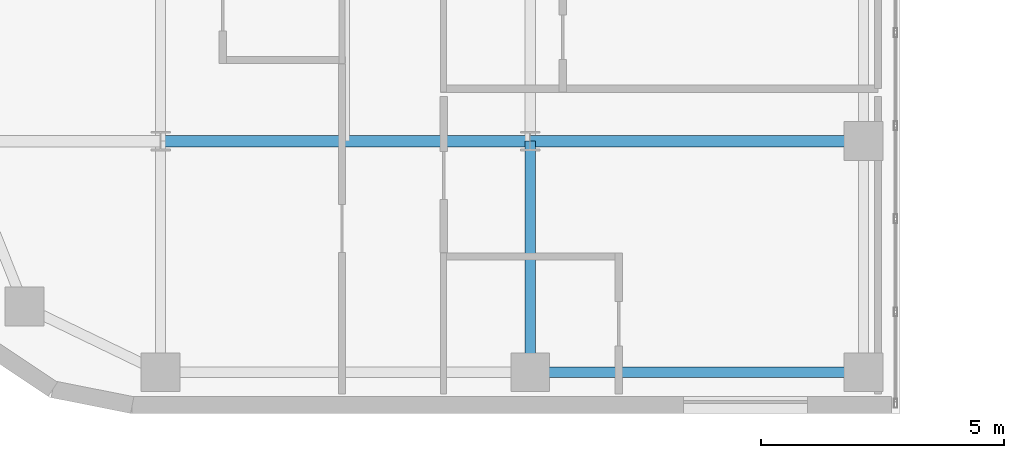
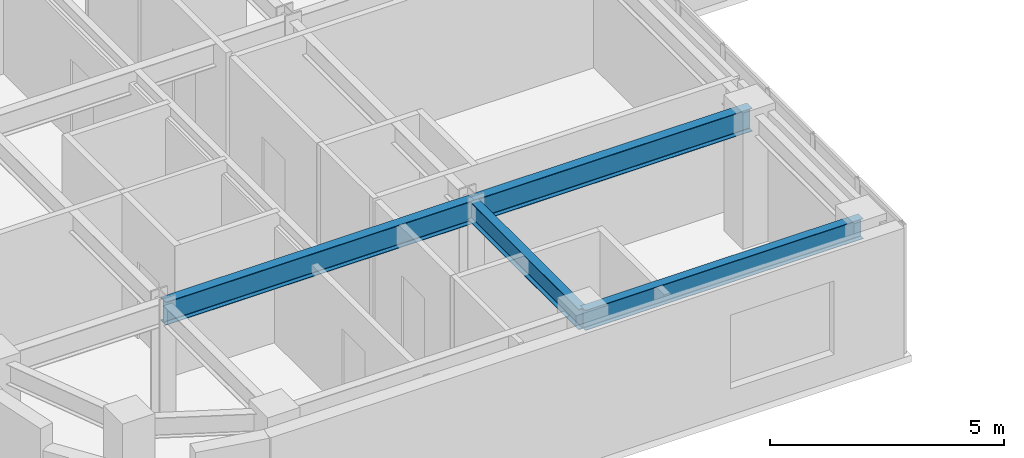
# One storey, part 4 of 24: 4 beams.
"""IFC4 building model written with IfcOpenShell, lengths in metres."""

from ifc_helpers import new_model, si_unit, direction, frame, origin, origin_2d, place, context, subcontext, project, spatial, i_section, extrude, source, transform, mapped, material, material_profile, profile_set, type_object, type_shapes, element, save


model = new_model("IFC4")

# Units and contexts
model_context = context("Model", 3, precision=1e-05, world=origin(), true_north=direction((0.0, 1.0)))
body_context = subcontext(model_context, "Body", "Model", "MODEL_VIEW")
ifc_project = project(units=[si_unit("LENGTHUNIT", "METRE"), si_unit("AREAUNIT", "SQUARE_METRE"), si_unit("VOLUMEUNIT", "CUBIC_METRE"), si_unit("PLANEANGLEUNIT", "RADIAN"), si_unit("MASSUNIT", "GRAM", prefix="KILO")], contexts=[model_context])

# Site, building, storey
site_placement = place(None, origin())
site = spatial("IfcSite", under=ifc_project, at=site_placement, CompositionType="ELEMENT")
building_placement = place(site_placement, origin())
building = spatial("IfcBuilding", under=site, at=building_placement, Name="Tolvann Quenvar Hotel", CompositionType="ELEMENT")
storey_placement = place(building_placement, frame((0.0, 0.0, 194.64990234375)))
storey = spatial("IfcBuildingStorey", under=building, at=storey_placement, Name="L51", CompositionType="ELEMENT", Elevation=194.64990234375)

# Beams
ifc_material = material(Name="Steel Grade 350", Category="steel")
ifc_material_profile_1 = material_profile(ifc_material, i_section(OverallWidth=0.208984375, OverallDepth=0.528076171875, WebThickness=0.009521484375, FlangeThickness=0.01318359375, FilletRadius=0.013916015625, at=origin_2d()), Name="530UB82")
ifc_profile_set_1 = profile_set([ifc_material_profile_1], Name="Steel Grade 350")
beam_type_1 = type_object("IfcBeamType", Name="BM_SPAND_530UB82", PredefinedType="SPANDREL", material=ifc_profile_set_1)
shared_shape_1 = source(origin(), body_context, "Body", "SweptSolid", [
    extrude(i_section(OverallWidth=0.208984375, OverallDepth=0.528076171875, WebThickness=0.009521484375, FlangeThickness=0.01318359375, FilletRadius=0.013916015625, at=origin_2d()), origin(), (0.0, 0.0, 1.0), 6.85009765625),
])
type_shapes(beam_type_1, [shared_shape_1])
beam_1_placement = place(storey_placement, frame((15.199951171875, 3.449951171875, 3.106201171875), z_axis=(1.0, 0.0, 0.0), x_axis=(0.0, 1.0, 0.0)))
element("IfcBeam", 1, at=beam_1_placement, inside=storey, type_object=beam_type_1, Name="BM-L51-EW-2-D2-E2", PredefinedType="SPANDREL", context=body_context, shape_type="MappedRepresentation", body=[
    mapped(shared_shape_1, transform((0.0, 0.0, 0.0), x_axis=(1.0, 0.0, 0.0), y_axis=(0.0, 1.0, 0.0), z_axis=(0.0, 0.0, 1.0), scale=1.0)),
])
ifc_material_profile_2 = material_profile(ifc_material, i_section(OverallWidth=0.22802734375, OverallDepth=0.60205078125, WebThickness=0.010498046875, FlangeThickness=0.014892578125, FilletRadius=0.013916015625, at=origin_2d()), Name="610UB101")
ifc_profile_set_2 = profile_set([ifc_material_profile_2], Name="Steel Grade 350")
beam_type_2 = type_object("IfcBeamType", Name="BM_GIRD_610UB101", PredefinedType="BEAM", material=ifc_profile_set_2)
shared_shape_2 = source(origin(), body_context, "Body", "SweptSolid", [
    extrude(i_section(OverallWidth=0.22802734375, OverallDepth=0.60205078125, WebThickness=0.010498046875, FlangeThickness=0.014892578125, FilletRadius=0.013916015625, at=origin_2d()), origin(), (0.0, 0.0, 1.0), 7.599853515625),
])
beam_2_placement = place(storey_placement, frame((7.60009765625, 8.199951171875, 3.069091796875), z_axis=(1.0, 0.0, 0.0), x_axis=(0.0, 1.0, 0.0)))
element("IfcBeam", 2, at=beam_2_placement, inside=storey, type_object=beam_type_2, Name="BM-L51-EW-3-C3-D3", PredefinedType="BEAM", context=body_context, shape_type="MappedRepresentation", body=[
    mapped(shared_shape_2, transform((0.0, 0.0, 0.0), x_axis=(1.0, 0.0, 0.0), y_axis=(0.0, 1.0, 0.0), z_axis=(0.0, 0.0, 1.0), scale=1.0)),
])
shared_shape_3 = source(origin(), body_context, "Body", "SweptSolid", [
    extrude(i_section(OverallWidth=0.22802734375, OverallDepth=0.60205078125, WebThickness=0.010498046875, FlangeThickness=0.014892578125, FilletRadius=0.013916015625, at=origin_2d()), origin(), (0.0, 0.0, 1.0), 6.85009765625),
])
type_shapes(beam_type_2, [shared_shape_2, shared_shape_3])
beam_3_placement = place(storey_placement, frame((15.199951171875, 8.199951171875, 3.069091796875), z_axis=(1.0, 0.0, 0.0), x_axis=(0.0, 1.0, 0.0)))
element("IfcBeam", 3, at=beam_3_placement, inside=storey, type_object=beam_type_2, Name="BM-L51-EW-3-D3-E3", PredefinedType="BEAM", context=body_context, shape_type="MappedRepresentation", body=[
    mapped(shared_shape_3, transform((0.0, 0.0, 0.0), x_axis=(1.0, 0.0, 0.0), y_axis=(0.0, 1.0, 0.0), z_axis=(0.0, 0.0, 1.0), scale=1.0)),
])
ifc_material_profile_3 = material_profile(ifc_material, i_section(OverallWidth=0.208984375, OverallDepth=0.532958984375, WebThickness=0.01025390625, FlangeThickness=0.015625, FilletRadius=0.013916015625, at=origin_2d()), Name="530UB92")
ifc_profile_set_3 = profile_set([ifc_material_profile_3], Name="Steel Grade 350")
beam_type_3 = type_object("IfcBeamType", Name="BM_GIRD_530UB92", PredefinedType="BEAM", material=ifc_profile_set_3)
shared_shape_4 = source(origin(), body_context, "Body", "SweptSolid", [
    extrude(i_section(OverallWidth=0.208984375, OverallDepth=0.532958984375, WebThickness=0.01025390625, FlangeThickness=0.015625, FilletRadius=0.013916015625, at=origin_2d()), origin(), (0.0, 0.0, 1.0), 4.75),
])
type_shapes(beam_type_3, [shared_shape_4])
beam_4_placement = place(storey_placement, frame((15.199951171875, 3.449951171875, 3.103515625), z_axis=(0.0, 1.0, 0.0), x_axis=(-1.0, 0.0, 0.0)))
element("IfcBeam", 4, at=beam_4_placement, inside=storey, type_object=beam_type_3, Name="BM-L51-NS-D2-D3", PredefinedType="BEAM", context=body_context, shape_type="MappedRepresentation", body=[
    mapped(shared_shape_4, transform((0.0, 0.0, 0.0), x_axis=(1.0, 0.0, 0.0), y_axis=(0.0, 1.0, 0.0), z_axis=(0.0, 0.0, 1.0), scale=1.0)),
])

save(model, "model.ifc")
